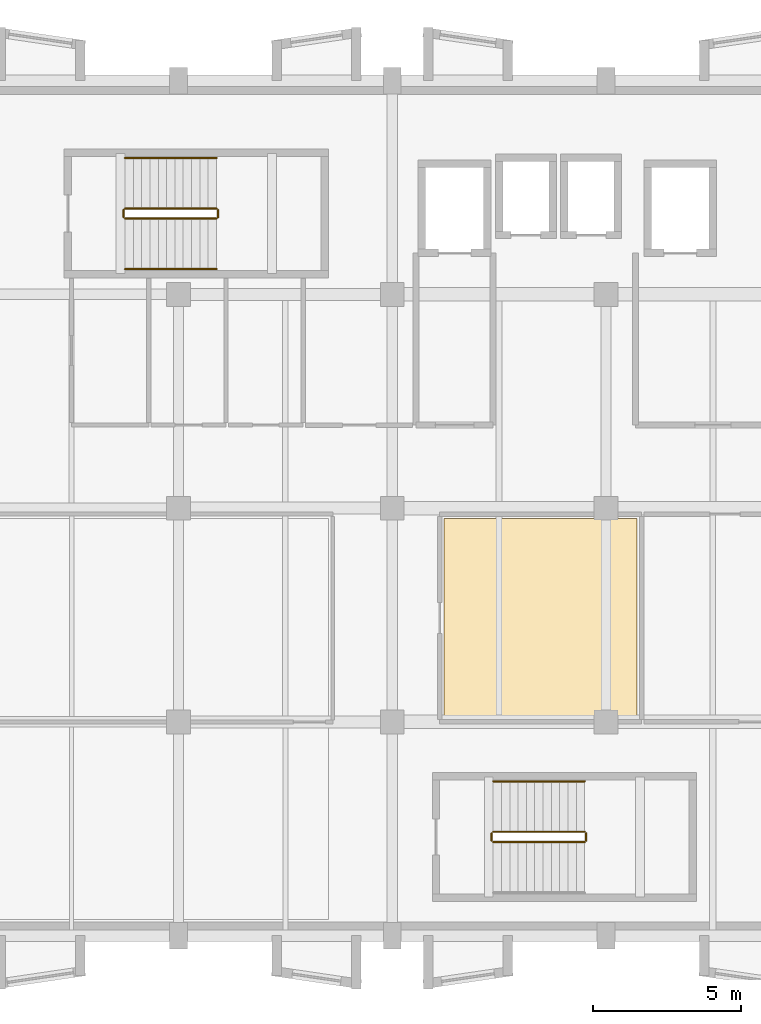
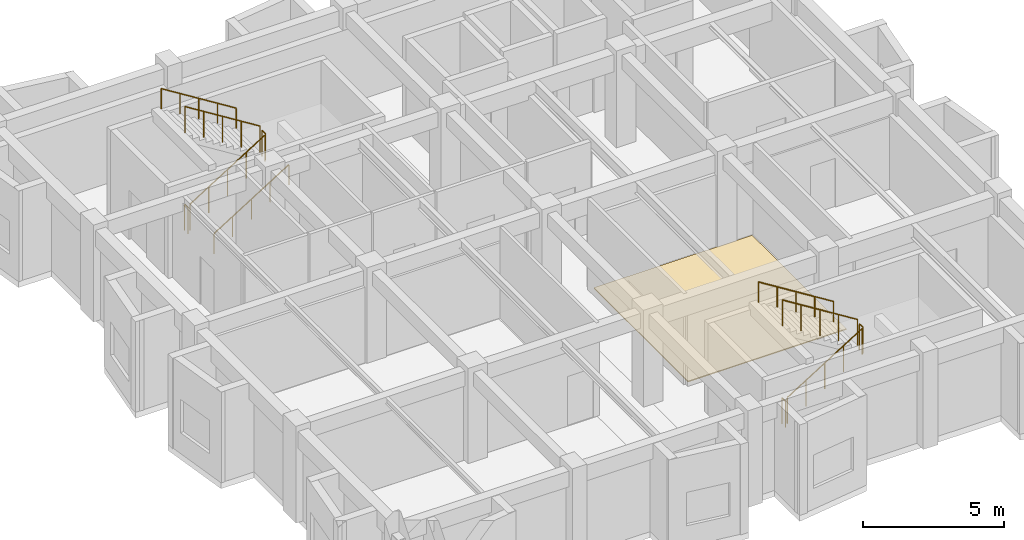
# One storey, part 67 of 67: 11 railings, 1 covering.
"""IFC4 building model written with IfcOpenShell, lengths in metres."""

import ifcopenshell
import ifcopenshell.guid

model = None  # the IFC model being written
_history = None  # IfcOwnerHistory: only IFC2X3 demands one
_inside = {}  # id of a spatial element -> (the spatial element, [elements in it])
_under = {}  # id of a project, library or spatial element -> (it, [spatial elements below it])
_declared = {}  # id of a project -> (the project, [libraries it declares])
_typed = {}  # id of a type object -> (the type object, [elements of that type])
_made_of = {}  # id of a material, layer set ... -> (it, [elements and type objects made of it])


def new_model(schema):
    """Start an empty IFC model of exactly this schema.

    Asked for "IFC4X3", IfcOpenShell would pick the latest addendum, in which some entities
    have other attributes; the version numbers below select the first issue.
    IFC2X3 requires an IfcOwnerHistory on every rooted entity: one is made here for all.
    """
    global model, _history
    if schema == "IFC4X3":
        model = ifcopenshell.file(schema_version=(4, 3, 0, 0))
    else:
        model = ifcopenshell.file(schema=schema)
    _inside.clear()
    _under.clear()
    _declared.clear()
    _typed.clear()
    _made_of.clear()
    _history = None
    if model.schema == "IFC2X3":
        org = make("IfcOrganization", Name="unknown")
        user = make(
            "IfcPersonAndOrganization",
            ThePerson=make("IfcPerson", FamilyName="unknown"),
            TheOrganization=org,
        )
        app = make(
            "IfcApplication",
            ApplicationDeveloper=org,
            Version="unknown",
            ApplicationFullName="unknown",
            ApplicationIdentifier="unknown",
        )
        _history = make(
            "IfcOwnerHistory",
            OwningUser=user,
            OwningApplication=app,
            ChangeAction="ADDED",
            CreationDate=0,
        )
    return model


def make(cls, **values):
    """One entity of the class cls with the attributes given. An attribute that is None is left unset."""
    return model.create_entity(
        cls, **{name: value for name, value in values.items() if value is not None}
    )


def rooted(cls, **values):
    """An entity with a GlobalId (a new one), such as an element, a storey or a relation."""
    return make(cls, GlobalId=ifcopenshell.guid.new(), OwnerHistory=_history, **values)


def si_unit(unit_type, name, prefix=None):
    """IfcSIUnit, for example si_unit("LENGTHUNIT", "METRE", prefix="MILLI")."""
    return make("IfcSIUnit", UnitType=unit_type, Prefix=prefix, Name=name)


def assignment(units):
    """IfcUnitAssignment: the units of a project."""
    return None if units is None else make("IfcUnitAssignment", Units=units)


def point(xyz):
    """IfcCartesianPoint."""
    return None if xyz is None else make("IfcCartesianPoint", Coordinates=xyz)


def direction(xyz):
    """IfcDirection."""
    return None if xyz is None else make("IfcDirection", DirectionRatios=xyz)


def frame(location, z_axis=None, x_axis=None):
    """IfcAxis2Placement3D, a coordinate frame: its origin and axes. An axis left out is left unset."""
    return make(
        "IfcAxis2Placement3D",
        Location=point(location),
        Axis=direction(z_axis),
        RefDirection=direction(x_axis),
    )


def frame_2d(location, x_axis=None):
    """IfcAxis2Placement2D, a coordinate frame in the plane: its origin and x axis."""
    return make(
        "IfcAxis2Placement2D", Location=point(location), RefDirection=direction(x_axis)
    )


def origin():
    """The frame at (0, 0, 0) with its axes left unset."""
    return frame((0.0, 0.0, 0.0))


def origin_2d():
    """The frame at (0, 0) in the plane with its x axis left unset."""
    return frame_2d((0.0, 0.0))


def place(relative_to, where):
    """IfcLocalPlacement: puts the frame where relative to a parent placement (None: the world)."""
    return make(
        "IfcLocalPlacement", PlacementRelTo=relative_to, RelativePlacement=where
    )


def context(
    kind, dimensions, precision=None, world=None, true_north=None, identifier=None
):
    """IfcGeometricRepresentationContext, for example the 3D "Model" context."""
    return make(
        "IfcGeometricRepresentationContext",
        ContextIdentifier=identifier,
        ContextType=kind,
        CoordinateSpaceDimension=dimensions,
        Precision=precision,
        WorldCoordinateSystem=world,
        TrueNorth=true_north,
    )


def subcontext(parent, identifier, kind, view, scale=None):
    """IfcGeometricRepresentationSubContext, for example "Body" below "Model"."""
    return make(
        "IfcGeometricRepresentationSubContext",
        ContextIdentifier=identifier,
        ContextType=kind,
        ParentContext=parent,
        TargetScale=scale,
        TargetView=view,
    )


def project(units=None, contexts=None):
    """IfcProject with its units and contexts."""
    return rooted(
        "IfcProject",
        Name="project",
        RepresentationContexts=contexts,
        UnitsInContext=assignment(units),
    )


def spatial(cls, under=None, at=None, **own):
    """A site, building, storey or space (cls), placed at a placement, below another one or the project."""
    s = rooted(cls, ObjectPlacement=at, **own)
    if under is not None:
        _under.setdefault(under.id(), (under, []))[1].append(s)
    return s


def polyline(points):
    """IfcPolyline through the points."""
    return make("IfcPolyline", Points=[point(p) for p in points])


def profile(cls, at=None, kind="AREA", **sizes):
    """A parametric profile (cls). Its sizes go by their IFC names, for example OverallWidth=200.0."""
    return make(cls, ProfileType=kind, Position=at, **sizes)


def circle(**sizes):
    """IfcCircleProfileDef."""
    return profile("IfcCircleProfileDef", **sizes)


def outline(outer, holes=None, kind="AREA"):
    """IfcArbitraryClosedProfileDef: a profile drawn as a closed curve; with holes, ...WithVoids."""
    if holes is None:
        return make("IfcArbitraryClosedProfileDef", ProfileType=kind, OuterCurve=outer)
    return make(
        "IfcArbitraryProfileDefWithVoids",
        ProfileType=kind,
        OuterCurve=outer,
        InnerCurves=holes,
    )


def extrude(swept, where, along, depth):
    """IfcExtrudedAreaSolid: the profile swept, set in the frame where, extruded along a direction by depth."""
    return make(
        "IfcExtrudedAreaSolid",
        SweptArea=swept,
        Position=where,
        ExtrudedDirection=direction(along),
        Depth=depth,
    )


def shape(context_of_items, identifier, shape_type, items):
    """IfcShapeRepresentation: the items that make up one representation, for example the "Body"."""
    return make(
        "IfcShapeRepresentation",
        ContextOfItems=context_of_items,
        RepresentationIdentifier=identifier,
        RepresentationType=shape_type,
        Items=items,
    )


def material(Name=None, Category=None):
    """IfcMaterial."""
    return make("IfcMaterial", Name=Name, Category=Category)


def layer(
    of_material, thickness, ventilated=None, Name=None, Category=None, Priority=None
):
    """IfcMaterialLayer: one layer of a wall or slab, of a material (None: an air gap)."""
    return make(
        "IfcMaterialLayer",
        Material=of_material,
        LayerThickness=thickness,
        IsVentilated=ventilated,
        Name=Name,
        Category=Category,
        Priority=Priority,
    )


def layer_set(layers, Name=None):
    """IfcMaterialLayerSet."""
    return make("IfcMaterialLayerSet", MaterialLayers=layers, LayerSetName=Name)


def made_of(thing, what):
    """Note that an element or type object is made of a material, layer set ...; save() writes the relation."""
    if what is not None:
        _made_of.setdefault(what.id(), (what, []))[1].append(thing)
    return thing


def type_object(cls, material=None, **own):
    """A type object (cls), such as IfcWallType, which elements share."""
    return made_of(rooted(cls, **own), material)


def element(
    cls,
    number,
    at=None,
    inside=None,
    cuts=None,
    type_object=None,
    material=None,
    context=None,
    identifier="Body",
    shape_type=None,
    held_by="IfcProductDefinitionShape",
    body=None,
    shapes=None,
    **own,
):
    """One element of the class cls, such as IfcWall. Its Tag is "e" and its number.

    at: its placement. inside: the storey or other place that contains it. cuts: it is an
    opening in that element (IfcRelVoidsElement). A single representation is given by context,
    identifier, shape_type and body (its items); several are given by shapes. held_by: the class
    of the entity that holds the representations. save() writes the other relations.
    """
    e = rooted(cls, Tag="e%d" % number, ObjectPlacement=at, **own)
    if body is not None:
        shapes = [shape(context, identifier, shape_type, body)]
    if shapes is not None:
        e.Representation = make(held_by, Representations=shapes)
    if inside is not None:
        _inside.setdefault(inside.id(), (inside, []))[1].append(e)
    if cuts is not None:
        rooted(
            "IfcRelVoidsElement", RelatingBuildingElement=cuts, RelatedOpeningElement=e
        )
    if type_object is not None:
        _typed.setdefault(type_object.id(), (type_object, []))[1].append(e)
    return made_of(e, material)


def aggregate(whole, parts):
    """IfcRelAggregates: a whole, such as a stair, and the parts it consists of."""
    return rooted("IfcRelAggregates", RelatingObject=whole, RelatedObjects=parts)


def save(model, path):
    """Write the relations noted so far, then the file.

    IfcRelAggregates (storeys below a building ...), IfcRelContainedInSpatialStructure (elements
    in a storey), IfcRelDefinesByType, IfcRelAssociatesMaterial and IfcRelDeclares: one each for
    every whole, place, type object, material and project.
    """
    for whole, parts in _under.values():
        aggregate(whole, parts)
    for where, things in _inside.values():
        rooted(
            "IfcRelContainedInSpatialStructure",
            RelatedElements=things,
            RelatingStructure=where,
        )
    for kind, things in _typed.values():
        rooted("IfcRelDefinesByType", RelatedObjects=things, RelatingType=kind)
    for what, things in _made_of.values():
        rooted("IfcRelAssociatesMaterial", RelatedObjects=things, RelatingMaterial=what)
    for by, libraries in _declared.values():
        rooted("IfcRelDeclares", RelatingContext=by, RelatedDefinitions=libraries)
    model.write(path)


model = new_model("IFC4")

# Units and contexts
model_context = context("Model", 3, precision=1e-05, world=origin(), true_north=direction((0.0, 1.0)))
body_context = subcontext(model_context, "Body", "Model", "MODEL_VIEW")
ifc_project = project(units=[si_unit("LENGTHUNIT", "METRE"), si_unit("AREAUNIT", "SQUARE_METRE"), si_unit("VOLUMEUNIT", "CUBIC_METRE"), si_unit("PLANEANGLEUNIT", "RADIAN"), si_unit("MASSUNIT", "GRAM", prefix="KILO")], contexts=[model_context])

# Site, building, storey
site_placement = place(None, origin())
site = spatial("IfcSite", under=ifc_project, at=site_placement, CompositionType="ELEMENT")
building_placement = place(site_placement, origin())
building = spatial("IfcBuilding", under=site, at=building_placement, Name="Bramveld Media Centre", CompositionType="ELEMENT")
storey_placement = place(building_placement, frame((0.0, 0.0, 5.39990234375)))
storey = spatial("IfcBuildingStorey", under=building, at=storey_placement, Name="L01", CompositionType="ELEMENT", Elevation=5.39990234375)

# Covering
ifc_material_1 = material(Name="Anti-static acoustic linoleum editing & vault flooring")
ifc_layer = layer(ifc_material_1, 0.0400390625)
ifc_layer_set = layer_set([ifc_layer], Name="Anti-static acoustic linoleum editing & vault flooring")
covering_type = type_object("IfcCoveringType", Name="COV-FLOOR-03", PredefinedType="FLOORING", material=ifc_layer_set)
covering_placement = place(storey_placement, origin())
element("IfcCovering", 1, at=covering_placement, inside=storey, type_object=covering_type, Name="Radio Broadcast Studio A finish flooring", PredefinedType="FLOORING", context=body_context, shape_type="SweptSolid", body=[
    extrude(outline(polyline([(147.35009765625, 90.550048828125), (153.85009765625, 90.550048828125), (153.85009765625, 97.25), (147.35009765625, 97.25), (147.35009765625, 90.550048828125)])), origin(), (0.0, 0.0, 1.0), 0.0400390625),
])

# Railings
ifc_material_2 = material(Name="Painted galvanized steel stairwell guardrail", Category="steel")
railing_type_1 = type_object("IfcRailingType", Name="RAIL-STAIR-GUARD-1150", PredefinedType="GUARDRAIL", material=ifc_material_2)
railing_1_placement = place(storey_placement, frame((136.60009765625, 107.35009765625, 0.175048828125)))
element("IfcRailing", 2, at=railing_1_placement, inside=storey, type_object=railing_type_1, Name="L01 ST-01 stair guard 1", PredefinedType="GUARDRAIL", context=body_context, shape_type="SweptSolid", body=[
    extrude(circle(Radius=0.02392578125, at=origin_2d()), frame((0.0, 0.0, 1.1259765625), z_axis=(0.847979421464, 0.0, 0.530029150871), x_axis=(0.0, 1.0, 0.0)), (0.0, 0.0, 1.0), 3.632080078125),
    extrude(circle(Radius=0.02099609375, at=origin_2d()), origin(), (0.0, 0.0, 1.0), 1.101806640625),
    extrude(circle(Radius=0.02099609375, at=origin_2d()), frame((0.77001953125, 0.0, 0.481201171875)), (0.0, 0.0, 1.0), 1.101806640625),
    extrude(circle(Radius=0.02099609375, at=origin_2d()), frame((1.5400390625, 0.0, 0.96240234375)), (0.0, 0.0, 1.0), 1.101806640625),
    extrude(circle(Radius=0.02099609375, at=origin_2d()), frame((2.309814453125, 0.0, 1.44384765625)), (0.0, 0.0, 1.0), 1.101806640625),
    extrude(circle(Radius=0.02099609375, at=origin_2d()), frame((3.079833984375, 0.0, 1.925048828125)), (0.0, 0.0, 1.0), 1.101806640625),
])
railing_2_placement = place(storey_placement, frame((139.72998046875, 107.39990234375, 2.10009765625)))
element("IfcRailing", 3, at=railing_2_placement, inside=storey, type_object=railing_type_1, Name="L01 ST-01 stair guard 2", PredefinedType="GUARDRAIL", context=body_context, shape_type="SweptSolid", body=[
    extrude(circle(Radius=0.02392578125, at=origin_2d()), frame((0.0, 0.0, 1.1259765625), z_axis=(0.0, 1.0, 0.0), x_axis=(-1.0, 0.0, 0.0)), (0.0, 0.0, 1.0), 0.25),
    extrude(circle(Radius=0.02099609375, at=origin_2d()), origin(), (0.0, 0.0, 1.0), 1.101806640625),
    extrude(circle(Radius=0.02099609375, at=origin_2d()), frame((0.0, 0.25, 0.0)), (0.0, 0.0, 1.0), 1.101806640625),
])
railing_3_placement = place(storey_placement, frame((139.679931640625, 107.699951171875, 2.275146484375)))
element("IfcRailing", 4, at=railing_3_placement, inside=storey, type_object=railing_type_1, Name="L01 ST-01 stair guard 3", PredefinedType="GUARDRAIL", context=body_context, shape_type="SweptSolid", body=[
    extrude(circle(Radius=0.02392578125, at=origin_2d()), frame((0.0, 0.0, 1.1259765625), z_axis=(-0.847979421464, 0.0, 0.530029150871), x_axis=(0.0, -1.0, 0.0)), (0.0, 0.0, 1.0), 3.632080078125),
    extrude(circle(Radius=0.02099609375, at=origin_2d()), origin(), (0.0, 0.0, 1.0), 1.101806640625),
    extrude(circle(Radius=0.02099609375, at=origin_2d()), frame((-0.77001953125, 0.0, 0.481201171875)), (0.0, 0.0, 1.0), 1.101806640625),
    extrude(circle(Radius=0.02099609375, at=origin_2d()), frame((-1.5400390625, 0.0, 0.96240234375)), (0.0, 0.0, 1.0), 1.101806640625),
    extrude(circle(Radius=0.02099609375, at=origin_2d()), frame((-2.309814453125, 0.0, 1.44384765625)), (0.0, 0.0, 1.0), 1.101806640625),
    extrude(circle(Radius=0.02099609375, at=origin_2d()), frame((-3.079833984375, 0.0, 1.925048828125)), (0.0, 0.0, 1.0), 1.101806640625),
])
railing_4_placement = place(storey_placement, frame((136.550048828125, 107.39990234375, 0.0)))
element("IfcRailing", 5, at=railing_4_placement, inside=storey, type_object=railing_type_1, Name="L01 ST-01 stair guard 4", PredefinedType="GUARDRAIL", context=body_context, shape_type="SweptSolid", body=[
    extrude(circle(Radius=0.02392578125, at=origin_2d()), frame((0.0, 0.0, 1.1259765625), z_axis=(0.0, 1.0, 0.0), x_axis=(-1.0, 0.0, 0.0)), (0.0, 0.0, 1.0), 0.25),
    extrude(circle(Radius=0.02099609375, at=origin_2d()), origin(), (0.0, 0.0, 1.0), 1.101806640625),
    extrude(circle(Radius=0.02099609375, at=origin_2d()), frame((0.0, 0.25, 0.0)), (0.0, 0.0, 1.0), 1.101806640625),
])
railing_5_placement = place(storey_placement, frame((149.0, 86.35009765625, 0.175048828125)))
element("IfcRailing", 6, at=railing_5_placement, inside=storey, type_object=railing_type_1, Name="L01 ST-02 stair guard 1", PredefinedType="GUARDRAIL", context=body_context, shape_type="SweptSolid", body=[
    extrude(circle(Radius=0.02392578125, at=origin_2d()), frame((0.0, 0.0, 1.1259765625), z_axis=(0.847998304005, 0.0, 0.529998940003), x_axis=(0.0, 1.0, 0.0)), (0.0, 0.0, 1.0), 3.632080078125),
    extrude(circle(Radius=0.02099609375, at=origin_2d()), origin(), (0.0, 0.0, 1.0), 1.101806640625),
    extrude(circle(Radius=0.02099609375, at=origin_2d()), frame((0.77001953125, 0.0, 0.481201171875)), (0.0, 0.0, 1.0), 1.101806640625),
    extrude(circle(Radius=0.02099609375, at=origin_2d()), frame((1.5400390625, 0.0, 0.96240234375)), (0.0, 0.0, 1.0), 1.101806640625),
    extrude(circle(Radius=0.02099609375, at=origin_2d()), frame((2.31005859375, 0.0, 1.44384765625)), (0.0, 0.0, 1.0), 1.101806640625),
    extrude(circle(Radius=0.02099609375, at=origin_2d()), frame((3.080078125, 0.0, 1.925048828125)), (0.0, 0.0, 1.0), 1.101806640625),
])
railing_6_placement = place(storey_placement, frame((152.1298828125, 86.39990234375, 2.10009765625)))
element("IfcRailing", 7, at=railing_6_placement, inside=storey, type_object=railing_type_1, Name="L01 ST-02 stair guard 2", PredefinedType="GUARDRAIL", context=body_context, shape_type="SweptSolid", body=[
    extrude(circle(Radius=0.02392578125, at=origin_2d()), frame((0.0, 0.0, 1.1259765625), z_axis=(0.0, 1.0, 0.0), x_axis=(-1.0, 0.0, 0.0)), (0.0, 0.0, 1.0), 0.25),
    extrude(circle(Radius=0.02099609375, at=origin_2d()), origin(), (0.0, 0.0, 1.0), 1.101806640625),
    extrude(circle(Radius=0.02099609375, at=origin_2d()), frame((0.0, 0.25, 0.0)), (0.0, 0.0, 1.0), 1.101806640625),
])
railing_7_placement = place(storey_placement, frame((152.080078125, 86.699951171875, 2.275146484375)))
element("IfcRailing", 8, at=railing_7_placement, inside=storey, type_object=railing_type_1, Name="L01 ST-02 stair guard 3", PredefinedType="GUARDRAIL", context=body_context, shape_type="SweptSolid", body=[
    extrude(circle(Radius=0.02392578125, at=origin_2d()), frame((0.0, 0.0, 1.1259765625), z_axis=(-0.847998304005, 0.0, 0.529998940003), x_axis=(0.0, -1.0, 0.0)), (0.0, 0.0, 1.0), 3.632080078125),
    extrude(circle(Radius=0.02099609375, at=origin_2d()), origin(), (0.0, 0.0, 1.0), 1.101806640625),
    extrude(circle(Radius=0.02099609375, at=origin_2d()), frame((-0.77001953125, 0.0, 0.481201171875)), (0.0, 0.0, 1.0), 1.101806640625),
    extrude(circle(Radius=0.02099609375, at=origin_2d()), frame((-1.5400390625, 0.0, 0.96240234375)), (0.0, 0.0, 1.0), 1.101806640625),
    extrude(circle(Radius=0.02099609375, at=origin_2d()), frame((-2.31005859375, 0.0, 1.44384765625)), (0.0, 0.0, 1.0), 1.101806640625),
    extrude(circle(Radius=0.02099609375, at=origin_2d()), frame((-3.080078125, 0.0, 1.925048828125)), (0.0, 0.0, 1.0), 1.101806640625),
])
railing_8_placement = place(storey_placement, frame((148.949951171875, 86.39990234375, 0.0)))
element("IfcRailing", 9, at=railing_8_placement, inside=storey, type_object=railing_type_1, Name="L01 ST-02 stair guard 4", PredefinedType="GUARDRAIL", context=body_context, shape_type="SweptSolid", body=[
    extrude(circle(Radius=0.02392578125, at=origin_2d()), frame((0.0, 0.0, 1.1259765625), z_axis=(0.0, 1.0, 0.0), x_axis=(-1.0, 0.0, 0.0)), (0.0, 0.0, 1.0), 0.25),
    extrude(circle(Radius=0.02099609375, at=origin_2d()), origin(), (0.0, 0.0, 1.0), 1.101806640625),
    extrude(circle(Radius=0.02099609375, at=origin_2d()), frame((0.0, 0.25, 0.0)), (0.0, 0.0, 1.0), 1.101806640625),
])
ifc_material_3 = material(Name="Brushed stainless steel tubular stair handrail", Category="steel")
railing_type_2 = type_object("IfcRailingType", Name="RAIL-STAIR-HAND-0920", PredefinedType="HANDRAIL", material=ifc_material_3)
railing_9_placement = place(storey_placement, frame((136.60009765625, 105.64990234375, 0.175048828125)))
element("IfcRailing", 10, at=railing_9_placement, inside=storey, type_object=railing_type_2, Name="L01 ST-01 stair handrail 1", PredefinedType="HANDRAIL", context=body_context, shape_type="SweptSolid", body=[
    extrude(circle(Radius=0.02392578125, at=origin_2d()), frame((0.0, 0.0, 0.8759765625), z_axis=(0.847979421464, 0.0, 0.530029150871), x_axis=(0.0, 1.0, 0.0)), (0.0, 0.0, 1.0), 3.632080078125),
    extrude(circle(Radius=0.02099609375, at=origin_2d()), origin(), (0.0, 0.0, 1.0), 0.851806640625),
    extrude(circle(Radius=0.02099609375, at=origin_2d()), frame((0.77001953125, 0.0, 0.481201171875)), (0.0, 0.0, 1.0), 0.851806640625),
    extrude(circle(Radius=0.02099609375, at=origin_2d()), frame((1.5400390625, 0.0, 0.96240234375)), (0.0, 0.0, 1.0), 0.851806640625),
    extrude(circle(Radius=0.02099609375, at=origin_2d()), frame((2.309814453125, 0.0, 1.44384765625)), (0.0, 0.0, 1.0), 0.851806640625),
    extrude(circle(Radius=0.02099609375, at=origin_2d()), frame((3.079833984375, 0.0, 1.925048828125)), (0.0, 0.0, 1.0), 0.851806640625),
])
railing_10_placement = place(storey_placement, frame((139.679931640625, 109.39990234375, 2.275146484375)))
element("IfcRailing", 11, at=railing_10_placement, inside=storey, type_object=railing_type_2, Name="L01 ST-01 stair handrail 2", PredefinedType="HANDRAIL", context=body_context, shape_type="SweptSolid", body=[
    extrude(circle(Radius=0.02392578125, at=origin_2d()), frame((0.0, 0.0, 0.8759765625), z_axis=(-0.847979421464, 0.0, 0.530029150871), x_axis=(0.0, -1.0, 0.0)), (0.0, 0.0, 1.0), 3.632080078125),
    extrude(circle(Radius=0.02099609375, at=origin_2d()), origin(), (0.0, 0.0, 1.0), 0.851806640625),
    extrude(circle(Radius=0.02099609375, at=origin_2d()), frame((-0.77001953125, 0.0, 0.481201171875)), (0.0, 0.0, 1.0), 0.851806640625),
    extrude(circle(Radius=0.02099609375, at=origin_2d()), frame((-1.5400390625, 0.0, 0.96240234375)), (0.0, 0.0, 1.0), 0.851806640625),
    extrude(circle(Radius=0.02099609375, at=origin_2d()), frame((-2.309814453125, 0.0, 1.44384765625)), (0.0, 0.0, 1.0), 0.851806640625),
    extrude(circle(Radius=0.02099609375, at=origin_2d()), frame((-3.079833984375, 0.0, 1.925048828125)), (0.0, 0.0, 1.0), 0.851806640625),
])
railing_11_placement = place(storey_placement, frame((152.080078125, 88.39990234375, 2.275146484375)))
element("IfcRailing", 12, at=railing_11_placement, inside=storey, type_object=railing_type_2, Name="L01 ST-02 stair handrail 2", PredefinedType="HANDRAIL", context=body_context, shape_type="SweptSolid", body=[
    extrude(circle(Radius=0.02392578125, at=origin_2d()), frame((0.0, 0.0, 0.8759765625), z_axis=(-0.847998304005, 0.0, 0.529998940003), x_axis=(0.0, -1.0, 0.0)), (0.0, 0.0, 1.0), 3.632080078125),
    extrude(circle(Radius=0.02099609375, at=origin_2d()), origin(), (0.0, 0.0, 1.0), 0.851806640625),
    extrude(circle(Radius=0.02099609375, at=origin_2d()), frame((-0.77001953125, 0.0, 0.481201171875)), (0.0, 0.0, 1.0), 0.851806640625),
    extrude(circle(Radius=0.02099609375, at=origin_2d()), frame((-1.5400390625, 0.0, 0.96240234375)), (0.0, 0.0, 1.0), 0.851806640625),
    extrude(circle(Radius=0.02099609375, at=origin_2d()), frame((-2.31005859375, 0.0, 1.44384765625)), (0.0, 0.0, 1.0), 0.851806640625),
    extrude(circle(Radius=0.02099609375, at=origin_2d()), frame((-3.080078125, 0.0, 1.925048828125)), (0.0, 0.0, 1.0), 0.851806640625),
])

save(model, "model.ifc")
